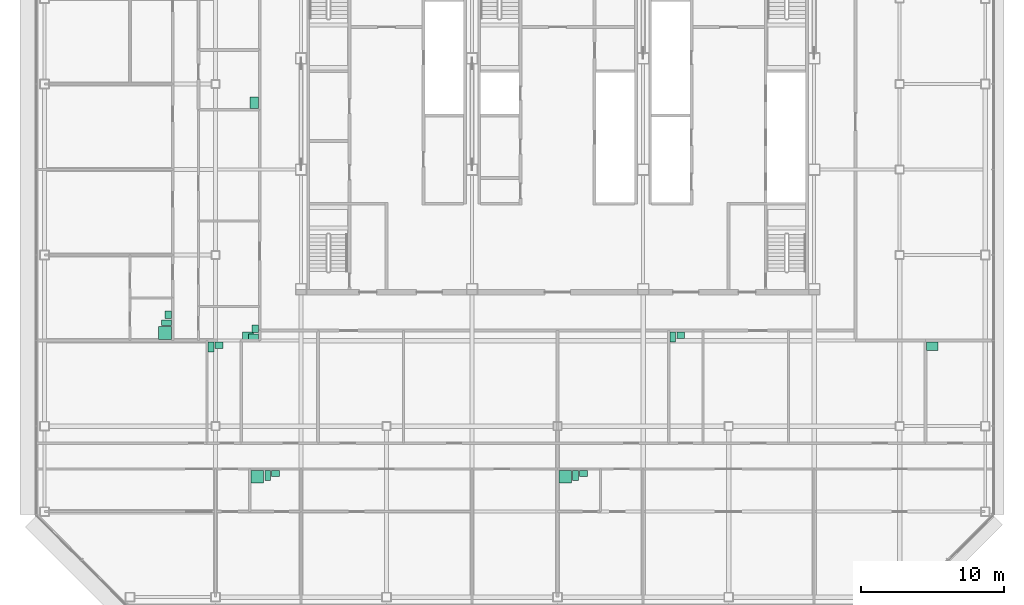
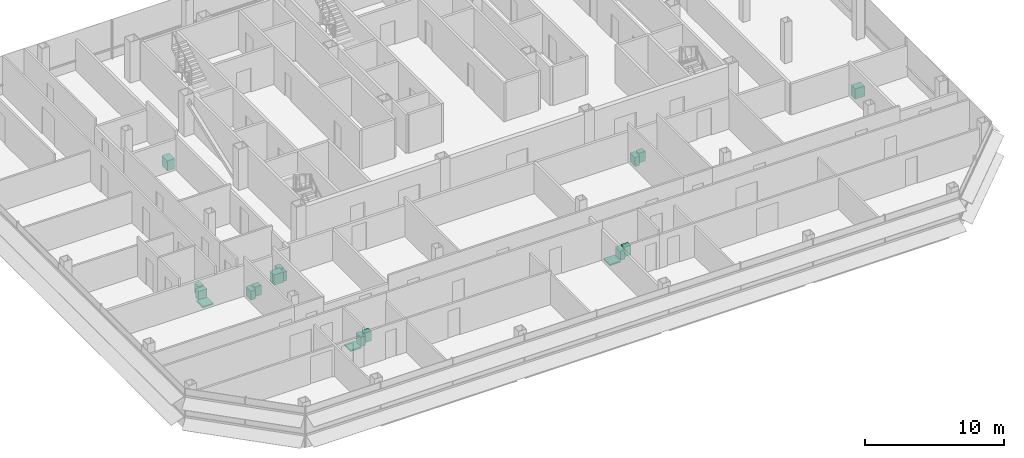
# One storey, part 26 of 26: 18 sanitary terminals.
"""IFC4 building model written with IfcOpenShell, lengths in metres."""

from ifc_helpers import new_model, si_unit, direction, frame, origin, origin_2d, place, context, subcontext, project, spatial, rectangle, extrude, element, save


model = new_model("IFC4")

# Units and contexts
model_context = context("Model", 3, precision=1e-05, world=origin(), true_north=direction((0.0, 1.0)))
body_context = subcontext(model_context, "Body", "Model", "MODEL_VIEW")
ifc_project = project(units=[si_unit("LENGTHUNIT", "METRE"), si_unit("AREAUNIT", "SQUARE_METRE"), si_unit("VOLUMEUNIT", "CUBIC_METRE"), si_unit("PLANEANGLEUNIT", "RADIAN"), si_unit("MASSUNIT", "GRAM", prefix="KILO")], contexts=[model_context])

# Site, building, storey
site_placement = place(None, origin())
site = spatial("IfcSite", under=ifc_project, at=site_placement, CompositionType="ELEMENT")
building_placement = place(site_placement, origin())
building = spatial("IfcBuilding", under=site, at=building_placement, Name="Sorahane Residences", CompositionType="ELEMENT")
storey_placement = place(building_placement, frame((0.0, 0.0, 222.60009765625)))
storey = spatial("IfcBuildingStorey", under=building, at=storey_placement, Name="L52", CompositionType="ELEMENT", Elevation=222.60009765625)

# Sanitary terminals
sanitary_terminal_1_placement = place(storey_placement, frame((2.929931640625, 8.449951171875, -0.000244140625), z_axis=(0.0, 0.0, 1.0), x_axis=(1.0, 0.0, 0.0)))
element("IfcSanitaryTerminal", 1, at=sanitary_terminal_1_placement, inside=storey, Name="Shower tray En-suite bathroom 52A", PredefinedType="SHOWER", context=body_context, shape_type="SweptSolid", body=[
    extrude(rectangle(XDim=0.89990234375, YDim=0.89990234375, at=origin_2d()), origin(), (0.0, 0.0, 1.0), 0.1201171875),
])
sanitary_terminal_2_placement = place(storey_placement, frame((3.659912109375, 8.550048828125, 0.0), z_axis=(0.0, 0.0, 1.0), x_axis=(1.0, 0.0, 0.0)))
element("IfcSanitaryTerminal", 2, at=sanitary_terminal_2_placement, inside=storey, Name="WC pan En-suite bathroom 52A", PredefinedType="TOILETPAN", context=body_context, shape_type="SweptSolid", body=[
    extrude(rectangle(XDim=0.39990234375, YDim=0.699951171875, at=origin_2d()), origin(), (0.0, 0.0, 1.0), 0.800048828125),
])
sanitary_terminal_3_placement = place(storey_placement, frame((4.215087890625, 8.675048828125, -0.000244140625), z_axis=(0.0, 0.0, 1.0), x_axis=(1.0, 0.0, 0.0)))
element("IfcSanitaryTerminal", 3, at=sanitary_terminal_3_placement, inside=storey, Name="Wash basin En-suite bathroom 52A", PredefinedType="WASHHANDBASIN", context=body_context, shape_type="SweptSolid", body=[
    extrude(rectangle(XDim=0.550048828125, YDim=0.449951171875, at=origin_2d()), origin(), (0.0, 0.0, 1.0), 0.85009765625),
])
sanitary_terminal_4_placement = place(storey_placement, frame((-0.320068359375, 17.550048828125, 0.0), z_axis=(0.0, 0.0, 1.0), x_axis=(1.0, 0.0, 0.0)))
element("IfcSanitaryTerminal", 4, at=sanitary_terminal_4_placement, inside=storey, Name="WC pan Powder room 52A", PredefinedType="TOILETPAN", context=body_context, shape_type="SweptSolid", body=[
    extrude(rectangle(XDim=0.39990234375, YDim=0.699951171875, at=origin_2d()), origin(), (0.0, 0.0, 1.0), 0.800048828125),
])
sanitary_terminal_5_placement = place(storey_placement, frame((0.235107421875, 17.675048828125, -0.000244140625), z_axis=(0.0, 0.0, 1.0), x_axis=(1.0, 0.0, 0.0)))
element("IfcSanitaryTerminal", 5, at=sanitary_terminal_5_placement, inside=storey, Name="Wash basin Powder room 52A", PredefinedType="WASHHANDBASIN", context=body_context, shape_type="SweptSolid", body=[
    extrude(rectangle(XDim=0.550048828125, YDim=0.449951171875, at=origin_2d()), origin(), (0.0, 0.0, 1.0), 0.85009765625),
])
sanitary_terminal_6_placement = place(storey_placement, frame((2.280029296875, 18.300048828125, 0.0), z_axis=(0.0, 0.0, 1.0), x_axis=(1.0, 0.0, 0.0)))
element("IfcSanitaryTerminal", 6, at=sanitary_terminal_6_placement, inside=storey, Name="Kitchen sink Kitchen 52A", PredefinedType="SINK", context=body_context, shape_type="SweptSolid", body=[
    extrude(rectangle(XDim=0.800048828125, YDim=0.60009765625, at=origin_2d()), origin(), (0.0, 0.0, 1.0), 0.89990234375),
])
sanitary_terminal_7_placement = place(storey_placement, frame((24.530029296875, 8.449951171875, -0.000244140625), z_axis=(0.0, 0.0, 1.0), x_axis=(1.0, 0.0, 0.0)))
element("IfcSanitaryTerminal", 7, at=sanitary_terminal_7_placement, inside=storey, Name="Shower tray En-suite bathroom 52B", PredefinedType="SHOWER", context=body_context, shape_type="SweptSolid", body=[
    extrude(rectangle(XDim=0.89990234375, YDim=0.89990234375, at=origin_2d()), origin(), (0.0, 0.0, 1.0), 0.1201171875),
])
sanitary_terminal_8_placement = place(storey_placement, frame((25.260009765625, 8.550048828125, 0.0), z_axis=(0.0, 0.0, 1.0), x_axis=(1.0, 0.0, 0.0)))
element("IfcSanitaryTerminal", 8, at=sanitary_terminal_8_placement, inside=storey, Name="WC pan En-suite bathroom 52B", PredefinedType="TOILETPAN", context=body_context, shape_type="SweptSolid", body=[
    extrude(rectangle(XDim=0.39990234375, YDim=0.699951171875, at=origin_2d()), origin(), (0.0, 0.0, 1.0), 0.800048828125),
])
sanitary_terminal_9_placement = place(storey_placement, frame((25.81494140625, 8.675048828125, -0.000244140625), z_axis=(0.0, 0.0, 1.0), x_axis=(1.0, 0.0, 0.0)))
element("IfcSanitaryTerminal", 9, at=sanitary_terminal_9_placement, inside=storey, Name="Wash basin En-suite bathroom 52B", PredefinedType="WASHHANDBASIN", context=body_context, shape_type="SweptSolid", body=[
    extrude(rectangle(XDim=0.550048828125, YDim=0.449951171875, at=origin_2d()), origin(), (0.0, 0.0, 1.0), 0.85009765625),
])
sanitary_terminal_10_placement = place(storey_placement, frame((32.080078125, 18.25, 0.0), z_axis=(0.0, 0.0, 1.0), x_axis=(1.0, 0.0, 0.0)))
element("IfcSanitaryTerminal", 10, at=sanitary_terminal_10_placement, inside=storey, Name="WC pan Powder room 52B", PredefinedType="TOILETPAN", context=body_context, shape_type="SweptSolid", body=[
    extrude(rectangle(XDim=0.39990234375, YDim=0.699951171875, at=origin_2d()), origin(), (0.0, 0.0, 1.0), 0.800048828125),
])
sanitary_terminal_11_placement = place(storey_placement, frame((32.635009765625, 18.375, -0.000244140625), z_axis=(0.0, 0.0, 1.0), x_axis=(1.0, 0.0, 0.0)))
element("IfcSanitaryTerminal", 11, at=sanitary_terminal_11_placement, inside=storey, Name="Wash basin Powder room 52B", PredefinedType="WASHHANDBASIN", context=body_context, shape_type="SweptSolid", body=[
    extrude(rectangle(XDim=0.550048828125, YDim=0.449951171875, at=origin_2d()), origin(), (0.0, 0.0, 1.0), 0.85009765625),
])
sanitary_terminal_12_placement = place(storey_placement, frame((50.280029296875, 17.60009765625, 0.0), z_axis=(0.0, 0.0, 1.0), x_axis=(1.0, 0.0, 0.0)))
element("IfcSanitaryTerminal", 12, at=sanitary_terminal_12_placement, inside=storey, Name="Kitchen sink Kitchen 52B", PredefinedType="SINK", context=body_context, shape_type="SweptSolid", body=[
    extrude(rectangle(XDim=0.800048828125, YDim=0.60009765625, at=origin_2d()), origin(), (0.0, 0.0, 1.0), 0.89990234375),
])
sanitary_terminal_13_placement = place(storey_placement, frame((-3.550048828125, 18.530029296875, -0.000244140625), z_axis=(0.0, 0.0, 1.0), x_axis=(0.0, -1.0, 0.0)))
element("IfcSanitaryTerminal", 13, at=sanitary_terminal_13_placement, inside=storey, Name="Shower tray En-suite bathroom 52C", PredefinedType="SHOWER", context=body_context, shape_type="SweptSolid", body=[
    extrude(rectangle(XDim=0.89990234375, YDim=0.89990234375, at=origin_2d()), origin(), (0.0, 0.0, 1.0), 0.1201171875),
])
sanitary_terminal_14_placement = place(storey_placement, frame((-3.449951171875, 19.260009765625, 0.0), z_axis=(0.0, 0.0, 1.0), x_axis=(0.0, -1.0, 0.0)))
element("IfcSanitaryTerminal", 14, at=sanitary_terminal_14_placement, inside=storey, Name="WC pan En-suite bathroom 52C", PredefinedType="TOILETPAN", context=body_context, shape_type="SweptSolid", body=[
    extrude(rectangle(XDim=0.39990234375, YDim=0.699951171875, at=origin_2d()), origin(), (0.0, 0.0, 1.0), 0.800048828125),
])
sanitary_terminal_15_placement = place(storey_placement, frame((-3.324951171875, 19.81494140625, -0.000244140625), z_axis=(0.0, 0.0, 1.0), x_axis=(0.0, -1.0, 0.0)))
element("IfcSanitaryTerminal", 15, at=sanitary_terminal_15_placement, inside=storey, Name="Wash basin En-suite bathroom 52C", PredefinedType="WASHHANDBASIN", context=body_context, shape_type="SweptSolid", body=[
    extrude(rectangle(XDim=0.550048828125, YDim=0.449951171875, at=origin_2d()), origin(), (0.0, 0.0, 1.0), 0.85009765625),
])
sanitary_terminal_16_placement = place(storey_placement, frame((2.64990234375, 18.280029296875, 0.0), z_axis=(0.0, 0.0, 1.0), x_axis=(0.0, -1.0, 0.0)))
element("IfcSanitaryTerminal", 16, at=sanitary_terminal_16_placement, inside=storey, Name="WC pan Guest WC 52C", PredefinedType="TOILETPAN", context=body_context, shape_type="SweptSolid", body=[
    extrude(rectangle(XDim=0.39990234375, YDim=0.699951171875, at=origin_2d()), origin(), (0.0, 0.0, 1.0), 0.800048828125),
])
sanitary_terminal_17_placement = place(storey_placement, frame((2.77490234375, 18.8349609375, -0.000244140625), z_axis=(0.0, 0.0, 1.0), x_axis=(0.0, -1.0, 0.0)))
element("IfcSanitaryTerminal", 17, at=sanitary_terminal_17_placement, inside=storey, Name="Wash basin Guest WC 52C", PredefinedType="WASHHANDBASIN", context=body_context, shape_type="SweptSolid", body=[
    extrude(rectangle(XDim=0.550048828125, YDim=0.449951171875, at=origin_2d()), origin(), (0.0, 0.0, 1.0), 0.85009765625),
])
sanitary_terminal_18_placement = place(storey_placement, frame((2.699951171875, 34.679931640625, 0.0), z_axis=(0.0, 0.0, 1.0), x_axis=(0.0, -1.0, 0.0)))
element("IfcSanitaryTerminal", 18, at=sanitary_terminal_18_placement, inside=storey, Name="Kitchen sink Kitchen 52C", PredefinedType="SINK", context=body_context, shape_type="SweptSolid", body=[
    extrude(rectangle(XDim=0.800048828125, YDim=0.60009765625, at=origin_2d()), origin(), (0.0, 0.0, 1.0), 0.89990234375),
])

save(model, "model.ifc")
